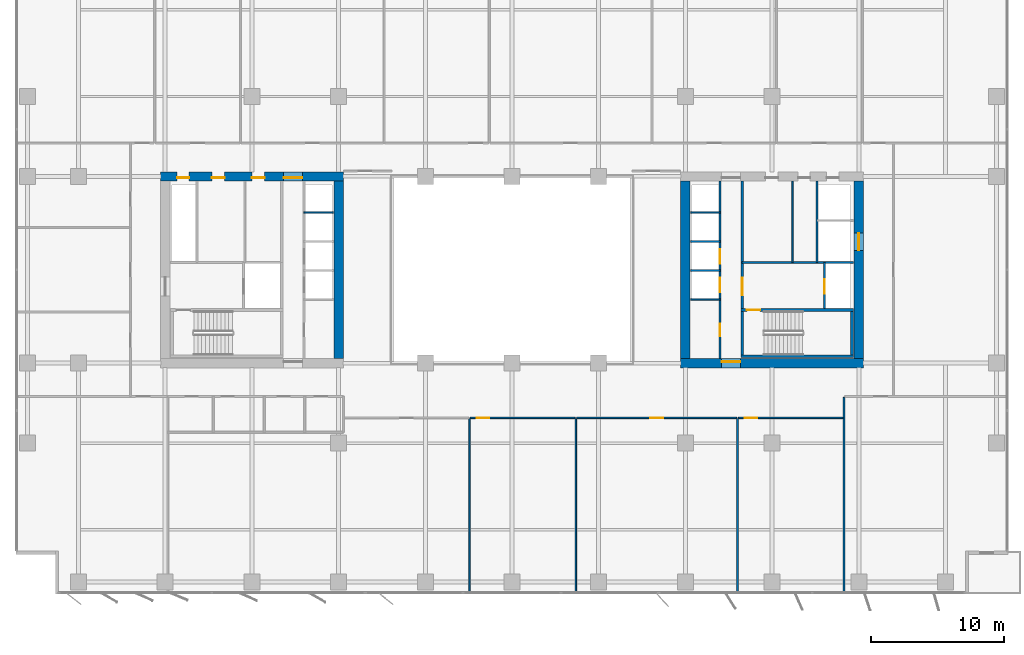
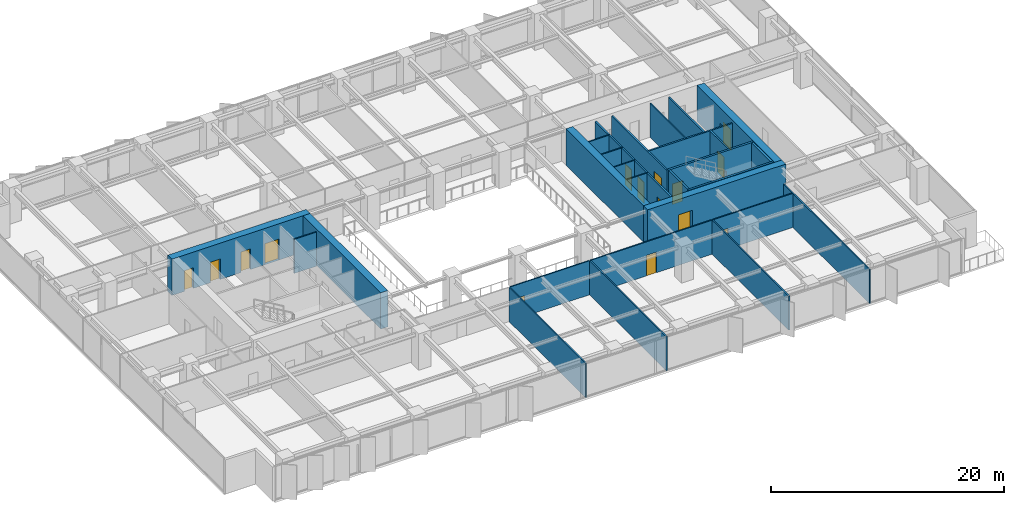
# One storey, part 14 of 20: 27 walls, 15 doors, 15 openings.
"""IFC4 building model written with IfcOpenShell, lengths in metres."""

from ifc_helpers import new_model, si_unit, direction, frame, frame_2d, origin, place, context, subcontext, project, spatial, rectangle, extrude, material, layer, layer_set, type_object, element, fill, save


model = new_model("IFC4")

# Units and contexts
model_context = context("Model", 3, precision=1e-05, world=origin(), true_north=direction((0.0, 1.0)))
body_context = subcontext(model_context, "Body", "Model", "MODEL_VIEW")
ifc_project = project(units=[si_unit("LENGTHUNIT", "METRE"), si_unit("AREAUNIT", "SQUARE_METRE"), si_unit("VOLUMEUNIT", "CUBIC_METRE"), si_unit("PLANEANGLEUNIT", "RADIAN"), si_unit("MASSUNIT", "GRAM", prefix="KILO")], contexts=[model_context])

# Site, building, storey
site_placement = place(None, origin())
site = spatial("IfcSite", under=ifc_project, at=site_placement, CompositionType="ELEMENT")
building_placement = place(site_placement, origin())
building = spatial("IfcBuilding", under=site, at=building_placement, Name="Putna Gate Headquarters", CompositionType="ELEMENT")
storey_placement = place(building_placement, frame((0.0, 0.0, 116.39990234375)))
storey = spatial("IfcBuildingStorey", under=building, at=storey_placement, Name="L28", CompositionType="ELEMENT", Elevation=116.39990234375)

# Wall, openings, doors
ifc_material_1 = material(Name="Concrete C60/75", Category="concrete")
ifc_layer_1 = layer(ifc_material_1, 0.699951171875)
ifc_layer_set_1 = layer_set([ifc_layer_1], Name="Concrete C60/75")
wall_type_1 = type_object("IfcWallType", Name="WALL-CORE-700", PredefinedType="SHEAR", material=ifc_layer_set_1)
wall_1_placement = place(storey_placement, frame((12.64990234375, 33.0, 0.0), z_axis=(0.0, 0.0, 1.0), x_axis=(1.0, 0.0, 0.0)))
wall_1 = element("IfcWall", 1, at=wall_1_placement, inside=storey, type_object=wall_type_1, Name="L28 WC Split Core Shear Wall N", PredefinedType="SHEAR", context=body_context, shape_type="SweptSolid", body=[
    extrude(rectangle(XDim=13.7001953125, YDim=0.699951171875, at=frame_2d((6.85009765625, 0.0))), origin(), (0.0, 0.0, 1.0), 3.800048828125),
])
opening_1_placement = place(wall_1_placement, frame((1.25, 0.0, 0.0)))
opening_1 = element("IfcOpeningElement", 2, at=opening_1_placement, cuts=wall_1, Name="Opening RD-90", PredefinedType="OPENING", context=body_context, shape_type="SweptSolid", body=[
    extrude(rectangle(XDim=0.89990234375, YDim=2.14990234375, at=frame_2d((0.449951171875, 1.074951171875))), frame((0.0, 0.35986328125, 0.0), z_axis=(0.0, -1.0, 0.0), x_axis=(1.0, 0.0, 0.0)), (0.0, 0.0, 1.0), 0.719970703125),
])
opening_2_placement = place(wall_1_placement, frame((3.85009765625, 0.0, 0.0)))
opening_2 = element("IfcOpeningElement", 3, at=opening_2_placement, cuts=wall_1, Name="Opening IDS-95", PredefinedType="OPENING", context=body_context, shape_type="SweptSolid", body=[
    extrude(rectangle(XDim=0.949951171875, YDim=2.14990234375, at=frame_2d((0.47509765625, 1.074951171875))), frame((0.0, 0.35986328125, 0.0), z_axis=(0.0, -1.0, 0.0), x_axis=(1.0, 0.0, 0.0)), (0.0, 0.0, 1.0), 0.719970703125),
])
opening_3_placement = place(wall_1_placement, frame((6.85009765625, 0.0, 0.0)))
opening_3 = element("IfcOpeningElement", 4, at=opening_3_placement, cuts=wall_1, Name="Opening IDS-95", PredefinedType="OPENING", context=body_context, shape_type="SweptSolid", body=[
    extrude(rectangle(XDim=0.949951171875, YDim=2.14990234375, at=frame_2d((0.47509765625, 1.074951171875))), frame((0.0, 0.35986328125, 0.0), z_axis=(0.0, -1.0, 0.0), x_axis=(1.0, 0.0, 0.0)), (0.0, 0.0, 1.0), 0.719970703125),
])
opening_4_placement = place(wall_1_placement, frame((9.22998046875, 0.0, 0.0)))
opening_4 = element("IfcOpeningElement", 5, at=opening_4_placement, cuts=wall_1, Name="Opening FDD-140", PredefinedType="OPENING", context=body_context, shape_type="SweptSolid", body=[
    extrude(rectangle(XDim=1.39990234375, YDim=2.199951171875, at=frame_2d((0.699951171875, 1.10009765625))), frame((0.0, 0.35986328125, 0.0), z_axis=(0.0, -1.0, 0.0), x_axis=(1.0, 0.0, 0.0)), (0.0, 0.0, 1.0), 0.719970703125),
])
ifc_material_2 = material(Name="Double steel fire door", Category="steel")
door_type_1 = type_object("IfcDoorType", Name="DOOR-FIRE-DBL-1400", OperationType="DOUBLE_DOOR_SINGLE_SWING", PredefinedType="DOOR", material=ifc_material_2)
door_1_placement = place(opening_4_placement, origin())
door_1 = element("IfcDoor", 6, at=door_1_placement, inside=storey, type_object=door_type_1, Name="L28 West Lift Lobby North Door", OperationType="DOUBLE_DOOR_SINGLE_SWING", OverallHeight=2.199951171875, OverallWidth=1.39990234375, PredefinedType="DOOR", context=body_context, shape_type="SweptSolid", body=[
    extrude(rectangle(XDim=1.39990234375, YDim=2.199951171875, at=frame_2d((0.699951171875, 1.10009765625))), frame((0.0, -0.0751953125, 0.0), z_axis=(0.0, -1.0, 0.0), x_axis=(1.0, 0.0, 0.0)), (0.0, 0.0, 1.0), 0.050048828125),
])
fill(opening_4, door_1)
ifc_material_3 = material(Name="Fire-rated service timber door", Category="wood")
door_type_2 = type_object("IfcDoorType", Name="DOOR-INT-950", OperationType="NOTDEFINED", PredefinedType="DOOR", material=ifc_material_3)
door_2_placement = place(opening_2_placement, origin())
door_2 = element("IfcDoor", 7, at=door_2_placement, inside=storey, type_object=door_type_2, Name="L28 Cleaner Store Door", OperationType="SINGLE_SWING_LEFT", OverallHeight=2.14990234375, OverallWidth=0.949951171875, PredefinedType="DOOR", context=body_context, shape_type="SweptSolid", body=[
    extrude(rectangle(XDim=0.949951171875, YDim=2.14990234375, at=frame_2d((0.47509765625, 1.074951171875))), frame((0.0, -0.0751953125, 0.0), z_axis=(0.0, -1.0, 0.0), x_axis=(1.0, 0.0, 0.0)), (0.0, 0.0, 1.0), 0.050048828125),
])
fill(opening_2, door_2)
door_3_placement = place(opening_3_placement, origin())
door_3 = element("IfcDoor", 8, at=door_3_placement, inside=storey, type_object=door_type_2, Name="L28 Comms Plant Door", OperationType="SINGLE_SWING_RIGHT", OverallHeight=2.14990234375, OverallWidth=0.949951171875, PredefinedType="DOOR", context=body_context, shape_type="SweptSolid", body=[
    extrude(rectangle(XDim=0.949951171875, YDim=2.14990234375, at=frame_2d((0.47509765625, 1.074951171875))), frame((0.0, -0.0751953125, 0.0), z_axis=(0.0, -1.0, 0.0), x_axis=(1.0, 0.0, 0.0)), (0.0, 0.0, 1.0), 0.050048828125),
])
fill(opening_3, door_3)
ifc_material_4 = material(Name="Steel riser access fire door", Category="steel")
door_type_3 = type_object("IfcDoorType", Name="DOOR-RISER-900", OperationType="NOTDEFINED", PredefinedType="DOOR", material=ifc_material_4)
door_4_placement = place(opening_1_placement, origin())
door_4 = element("IfcDoor", 9, at=door_4_placement, inside=storey, type_object=door_type_3, Name="L28 West Riser Access Door", OperationType="SINGLE_SWING_RIGHT", OverallHeight=2.14990234375, OverallWidth=0.89990234375, PredefinedType="DOOR", context=body_context, shape_type="SweptSolid", body=[
    extrude(rectangle(XDim=0.89990234375, YDim=2.14990234375, at=frame_2d((0.449951171875, 1.074951171875))), frame((0.0, -0.0751953125, 0.0), z_axis=(0.0, -1.0, 0.0), x_axis=(1.0, 0.0, 0.0)), (0.0, 0.0, 1.0), 0.050048828125),
])
fill(opening_1, door_4)

# Wall
wall_2_placement = place(storey_placement, frame((26.0, 19.35009765625, 0.0), z_axis=(0.0, 0.0, 1.0), x_axis=(0.0, 1.0, 0.0)))
element("IfcWall", 10, at=wall_2_placement, inside=storey, type_object=wall_type_1, Name="L28 WC Split Core Shear Wall E", PredefinedType="SHEAR", context=body_context, shape_type="SweptSolid", body=[
    extrude(rectangle(XDim=13.2998046875, YDim=0.699951171875, at=frame_2d((6.64990234375, 0.0))), origin(), (0.0, 0.0, 1.0), 3.800048828125),
])

# Wall, opening, door
wall_3_placement = place(storey_placement, frame((51.64990234375, 19.0, 0.0), z_axis=(0.0, 0.0, 1.0), x_axis=(1.0, 0.0, 0.0)))
wall_3 = element("IfcWall", 11, at=wall_3_placement, inside=storey, type_object=wall_type_1, Name="L28 EC Split Core Shear Wall S", PredefinedType="SHEAR", context=body_context, shape_type="SweptSolid", body=[
    extrude(rectangle(XDim=13.7001953125, YDim=0.699951171875, at=frame_2d((6.85009765625, 0.0))), origin(), (0.0, 0.0, 1.0), 3.800048828125),
])
opening_5_placement = place(wall_3_placement, frame((3.070068359375, 0.0, 0.0)))
opening_5 = element("IfcOpeningElement", 12, at=opening_5_placement, cuts=wall_3, Name="Opening FDD-140", PredefinedType="OPENING", context=body_context, shape_type="SweptSolid", body=[
    extrude(rectangle(XDim=1.39990234375, YDim=2.199951171875, at=frame_2d((0.699951171875, 1.10009765625))), frame((0.0, 0.35986328125, 0.0), z_axis=(0.0, -1.0, 0.0), x_axis=(1.0, 0.0, 0.0)), (0.0, 0.0, 1.0), 0.719970703125),
])
door_5_placement = place(opening_5_placement, origin())
door_5 = element("IfcDoor", 13, at=door_5_placement, inside=storey, type_object=door_type_1, Name="L28 East Lift Lobby South Door", OperationType="DOUBLE_DOOR_SINGLE_SWING", OverallHeight=2.199951171875, OverallWidth=1.39990234375, PredefinedType="DOOR", context=body_context, shape_type="SweptSolid", body=[
    extrude(rectangle(XDim=1.39990234375, YDim=2.199951171875, at=frame_2d((0.699951171875, 1.10009765625))), frame((0.0, 0.125, 0.0), z_axis=(0.0, -1.0, 0.0), x_axis=(1.0, 0.0, 0.0)), (0.0, 0.0, 1.0), 0.050048828125),
])
fill(opening_5, door_5)

# Wall
wall_4_placement = place(storey_placement, frame((52.0, 19.35009765625, 0.0), z_axis=(0.0, 0.0, 1.0), x_axis=(0.0, 1.0, 0.0)))
element("IfcWall", 14, at=wall_4_placement, inside=storey, type_object=wall_type_1, Name="L28 EC Split Core Shear Wall W", PredefinedType="SHEAR", context=body_context, shape_type="SweptSolid", body=[
    extrude(rectangle(XDim=13.2998046875, YDim=0.699951171875, at=frame_2d((6.64990234375, 0.0))), origin(), (0.0, 0.0, 1.0), 3.800048828125),
])

# Wall, opening, door
wall_5_placement = place(storey_placement, frame((65.0, 19.35009765625, 0.0), z_axis=(0.0, 0.0, 1.0), x_axis=(0.0, 1.0, 0.0)))
wall_5 = element("IfcWall", 15, at=wall_5_placement, inside=storey, type_object=wall_type_1, Name="L28 EC Split Core Shear Wall E", PredefinedType="SHEAR", context=body_context, shape_type="SweptSolid", body=[
    extrude(rectangle(XDim=13.2998046875, YDim=0.699951171875, at=frame_2d((6.64990234375, 0.0))), origin(), (0.0, 0.0, 1.0), 3.800048828125),
])
opening_6_placement = place(wall_5_placement, frame((8.10009765625, 0.0, 0.0)))
opening_6 = element("IfcOpeningElement", 16, at=opening_6_placement, cuts=wall_5, Name="Opening LD-2", PredefinedType="OPENING", context=body_context, shape_type="SweptSolid", body=[
    extrude(rectangle(XDim=1.300048828125, YDim=2.199951171875, at=frame_2d((0.64990234375, 1.10009765625))), frame((0.0, 0.35986328125, 0.0), z_axis=(0.0, -1.0, 0.0), x_axis=(1.0, 0.0, 0.0)), (0.0, 0.0, 1.0), 0.719970703125),
])
ifc_material_5 = material(Name="Heavy-duty goods lift sliding landing door")
door_type_4 = type_object("IfcDoorType", Name="DOOR-LIFT-1300", OperationType="DOUBLE_DOOR_SLIDING", PredefinedType="DOOR", material=ifc_material_5)
door_6_placement = place(opening_6_placement, origin())
door_6 = element("IfcDoor", 17, at=door_6_placement, inside=storey, type_object=door_type_4, Name="L28 Goods Lift Landing Door LD-15", OperationType="DOUBLE_DOOR_SLIDING", OverallHeight=2.199951171875, OverallWidth=1.300048828125, PredefinedType="DOOR", context=body_context, shape_type="SweptSolid", body=[
    extrude(rectangle(XDim=1.300048828125, YDim=2.199951171875, at=frame_2d((0.64990234375, 1.10009765625))), frame((0.0, 0.02490234375, 0.0), z_axis=(0.0, -1.0, 0.0), x_axis=(1.0, 0.0, 0.0)), (0.0, 0.0, 1.0), 0.050048828125),
])
fill(opening_6, door_6)

# Walls
ifc_material_6 = material(Name="Acoustic gypsum board on metal stud")
ifc_layer_2 = layer(ifc_material_6, 0.1201171875)
ifc_layer_set_2 = layer_set([ifc_layer_2], Name="Acoustic gypsum board on metal stud")
wall_type_2 = type_object("IfcWallType", Name="WALL-PART-120", PredefinedType="PARTITIONING", material=ifc_layer_set_2)
for number, where, z_axis, x_axis, name in (
    (18, (35.800048828125, 1.719970703125, 0.0), (0.0, 0.0, 1.0), (0.0, 1.0, 0.0), "L28 Interior Wall PART-L28-SB-DIV-02"),
    (19, (43.784912109375, 1.719970703125, 0.0), (0.0, 0.0, 1.0), (0.0, 1.0, 0.0), "L28 Interior Wall PART-L28-SB-DIV-03"),
    (20, (55.909912109375, 1.719970703125, 0.0), (0.0, 0.0, 1.0), (0.0, 1.0, 0.0), "L28 Interior Wall PART-L28-SB-DIV-04"),
):
    element("IfcWall", number, at=place(storey_placement, frame(where, z_axis=z_axis, x_axis=x_axis)), inside=storey, type_object=wall_type_2, Name=name, PredefinedType="PARTITIONING", context=body_context, shape_type="SweptSolid", body=[
        extrude(rectangle(XDim=13.1201171875, YDim=0.1201171875, at=frame_2d((6.56005859375, 0.0))), origin(), (0.0, 0.0, 1.0), 3.565185546875),
    ])
wall_6_placement = place(storey_placement, frame((63.89501953125, 1.719970703125, 0.0), z_axis=(0.0, 0.0, 1.0), x_axis=(0.0, 1.0, 0.0)))
element("IfcWall", 21, at=wall_6_placement, inside=storey, type_object=wall_type_2, Name="L28 Interior Wall PART-L28-SB-DIV-05", PredefinedType="PARTITIONING", context=body_context, shape_type="SweptSolid", body=[
    extrude(rectangle(XDim=14.719970703125, YDim=0.1201171875, at=frame_2d((7.35986328125, 0.0))), origin(), (0.0, 0.0, 1.0), 3.565185546875),
])
ifc_material_7 = material(Name="Fire-rated shaftwall gypsum board on metal stud")
ifc_layer_3 = layer(ifc_material_7, 0.1201171875)
ifc_layer_set_3 = layer_set([ifc_layer_3], Name="Fire-rated shaftwall gypsum board on metal stud")
wall_type_3 = type_object("IfcWallType", Name="WALL-PART-120-EI120", PredefinedType="PARTITIONING", material=ifc_layer_set_3)
for number, where, z_axis, x_axis, name in (
    (22, (23.39990234375, 30.31005859375, 0.0), (0.0, 0.0, 1.0), (1.0, 0.0, 0.0), "L28 Interior Wall CWINT-L28-WC-LF09-DIV"),
    (23, (52.39990234375, 25.949951171875, 0.0), (0.0, 0.0, 1.0), (1.0, 0.0, 0.0), "L28 Interior Wall CWINT-L28-EC-LF07-DIV"),
    (24, (52.39990234375, 28.1201171875, 0.0), (0.0, 0.0, 1.0), (1.0, 0.0, 0.0), "L28 Interior Wall CWINT-L28-EC-LF08-DIV"),
    (25, (52.39990234375, 30.31005859375, 0.0), (0.0, 0.0, 1.0), (1.0, 0.0, 0.0), "L28 Interior Wall CWINT-L28-EC-LF11-DIV"),
):
    element("IfcWall", number, at=place(storey_placement, frame(where, z_axis=z_axis, x_axis=x_axis)), inside=storey, type_object=wall_type_3, Name=name, PredefinedType="PARTITIONING", context=body_context, shape_type="SweptSolid", body=[
        extrude(rectangle(XDim=2.2001953125, YDim=0.1201171875, at=frame_2d((1.10009765625, 0.0))), origin(), (0.0, 0.0, 1.0), 3.565185546875),
    ])
ifc_material_8 = material(Name="Fire-rated gypsum board on metal stud")
ifc_layer_4 = layer(ifc_material_8, 0.1201171875)
ifc_layer_set_4 = layer_set([ifc_layer_4], Name="Fire-rated gypsum board on metal stud")
wall_type_4 = type_object("IfcWallType", Name="WALL-PART-120-RATED", PredefinedType="PARTITIONING", material=ifc_layer_set_4)
wall_7_placement = place(storey_placement, frame((52.39990234375, 23.780029296875, 0.0), z_axis=(0.0, 0.0, 1.0), x_axis=(1.0, 0.0, 0.0)))
element("IfcWall", 26, at=wall_7_placement, inside=storey, type_object=wall_type_4, Name="L28 Interior Wall CWINT-L28-EC-LF04-DIV", PredefinedType="PARTITIONING", context=body_context, shape_type="SweptSolid", body=[
    extrude(rectangle(XDim=2.2001953125, YDim=0.1201171875, at=frame_2d((1.10009765625, 0.0))), origin(), (0.0, 0.0, 1.0), 3.565185546875),
])
wall_8_placement = place(storey_placement, frame((60.02001953125, 26.56005859375, 0.0), z_axis=(0.0, 0.0, 1.0), x_axis=(0.0, 1.0, 0.0)))
element("IfcWall", 27, at=wall_8_placement, inside=storey, type_object=wall_type_4, Name="L28 Interior Wall CWINT-L28-EC-K0-DIV", PredefinedType="PARTITIONING", context=body_context, shape_type="SweptSolid", body=[
    extrude(rectangle(XDim=6.08984375, YDim=0.1201171875, at=frame_2d((3.044921875, 0.0))), origin(), (0.0, 0.0, 1.0), 3.565185546875),
])

# Wall, opening, door
wall_9_placement = place(storey_placement, frame((35.860107421875, 14.89990234375, 0.0), z_axis=(0.0, 0.0, 1.0), x_axis=(1.0, 0.0, 0.0)))
wall_9 = element("IfcWall", 28, at=wall_9_placement, inside=storey, type_object=wall_type_4, Name="L28 Interior Wall PART-L28-SB-CW-03", PredefinedType="PARTITIONING", context=body_context, shape_type="SweptSolid", body=[
    extrude(rectangle(XDim=7.86474609375, YDim=0.1201171875, at=frame_2d((3.932373046875, 0.0))), origin(), (0.0, 0.0, 1.0), 3.565185546875),
])
opening_7_placement = place(wall_9_placement, frame((0.47998046875, 0.0, 0.0)))
opening_7 = element("IfcOpeningElement", 29, at=opening_7_placement, cuts=wall_9, Name="Opening FD-95", PredefinedType="OPENING", context=body_context, shape_type="SweptSolid", body=[
    extrude(rectangle(XDim=0.949951171875, YDim=2.14990234375, at=frame_2d((0.47509765625, 1.074951171875))), frame((0.0, 0.070068359375, 0.0), z_axis=(0.0, -1.0, 0.0), x_axis=(1.0, 0.0, 0.0)), (0.0, 0.0, 1.0), 0.14013671875),
])
ifc_material_9 = material(Name="Acoustic timber fire door", Category="wood")
door_type_5 = type_object("IfcDoorType", Name="DOOR-FIRE-950", OperationType="NOTDEFINED", PredefinedType="DOOR", material=ifc_material_9)
door_7_placement = place(opening_7_placement, origin())
door_7 = element("IfcDoor", 30, at=door_7_placement, inside=storey, type_object=door_type_5, Name="L28 Collaborative Breakout Lounge 1 Door", OperationType="SINGLE_SWING_LEFT", OverallHeight=2.14990234375, OverallWidth=0.949951171875, PredefinedType="DOOR", context=body_context, shape_type="SweptSolid", body=[
    extrude(rectangle(XDim=0.949951171875, YDim=2.14990234375, at=frame_2d((0.47509765625, 1.074951171875))), frame((0.0, 0.02490234375, 0.0), z_axis=(0.0, -1.0, 0.0), x_axis=(1.0, 0.0, 0.0)), (0.0, 0.0, 1.0), 0.050048828125),
])
fill(opening_7, door_7)

wall_10_placement = place(storey_placement, frame((43.844970703125, 14.89990234375, 0.0), z_axis=(0.0, 0.0, 1.0), x_axis=(1.0, 0.0, 0.0)))
wall_10 = element("IfcWall", 31, at=wall_10_placement, inside=storey, type_object=wall_type_4, Name="L28 Interior Wall PART-L28-SB-CW-04", PredefinedType="PARTITIONING", context=body_context, shape_type="SweptSolid", body=[
    extrude(rectangle(XDim=12.005126953125, YDim=0.1201171875, at=frame_2d((6.00244140625, 0.0))), origin(), (0.0, 0.0, 1.0), 3.565185546875),
])
opening_8_placement = place(wall_10_placement, frame((5.527587890625, 0.0, 0.0)))
opening_8 = element("IfcOpeningElement", 32, at=opening_8_placement, cuts=wall_10, Name="Opening FD-95", PredefinedType="OPENING", context=body_context, shape_type="SweptSolid", body=[
    extrude(rectangle(XDim=0.949951171875, YDim=2.14990234375, at=frame_2d((0.47509765625, 1.074951171875))), frame((0.0, 0.070068359375, 0.0), z_axis=(0.0, -1.0, 0.0), x_axis=(1.0, 0.0, 0.0)), (0.0, 0.0, 1.0), 0.14013671875),
])
door_8_placement = place(opening_8_placement, origin())
door_8 = element("IfcDoor", 33, at=door_8_placement, inside=storey, type_object=door_type_5, Name="L28 Collaborative Breakout Lounge 2 Door", OperationType="SINGLE_SWING_RIGHT", OverallHeight=2.14990234375, OverallWidth=0.949951171875, PredefinedType="DOOR", context=body_context, shape_type="SweptSolid", body=[
    extrude(rectangle(XDim=0.949951171875, YDim=2.14990234375, at=frame_2d((0.47509765625, 1.074951171875))), frame((0.0, 0.02490234375, 0.0), z_axis=(0.0, -1.0, 0.0), x_axis=(1.0, 0.0, 0.0)), (0.0, 0.0, 1.0), 0.050048828125),
])
fill(opening_8, door_8)

wall_11_placement = place(storey_placement, frame((55.969970703125, 14.89990234375, 0.0), z_axis=(0.0, 0.0, 1.0), x_axis=(1.0, 0.0, 0.0)))
wall_11 = element("IfcWall", 34, at=wall_11_placement, inside=storey, type_object=wall_type_4, Name="L28 Interior Wall PART-L28-SB-CW-05", PredefinedType="PARTITIONING", context=body_context, shape_type="SweptSolid", body=[
    extrude(rectangle(XDim=7.864990234375, YDim=0.1201171875, at=frame_2d((3.9326171875, 0.0))), origin(), (0.0, 0.0, 1.0), 3.565185546875),
])
opening_9_placement = place(wall_11_placement, frame((0.47998046875, 0.0, 0.0)))
opening_9 = element("IfcOpeningElement", 35, at=opening_9_placement, cuts=wall_11, Name="Opening FD-95", PredefinedType="OPENING", context=body_context, shape_type="SweptSolid", body=[
    extrude(rectangle(XDim=0.949951171875, YDim=2.14990234375, at=frame_2d((0.47509765625, 1.074951171875))), frame((0.0, 0.070068359375, 0.0), z_axis=(0.0, -1.0, 0.0), x_axis=(1.0, 0.0, 0.0)), (0.0, 0.0, 1.0), 0.14013671875),
])
door_9_placement = place(opening_9_placement, origin())
door_9 = element("IfcDoor", 36, at=door_9_placement, inside=storey, type_object=door_type_5, Name="L28 Collaborative Breakout Lounge 3 Door", OperationType="SINGLE_SWING_LEFT", OverallHeight=2.14990234375, OverallWidth=0.949951171875, PredefinedType="DOOR", context=body_context, shape_type="SweptSolid", body=[
    extrude(rectangle(XDim=0.949951171875, YDim=2.14990234375, at=frame_2d((0.47509765625, 1.074951171875))), frame((0.0, 0.02490234375, 0.0), z_axis=(0.0, -1.0, 0.0), x_axis=(1.0, 0.0, 0.0)), (0.0, 0.0, 1.0), 0.050048828125),
])
fill(opening_9, door_9)

# Wall, openings, doors
ifc_material_10 = material(Name="Concrete C40/50", Category="concrete")
ifc_layer_5 = layer(ifc_material_10, 0.159912109375)
ifc_layer_set_5 = layer_set([ifc_layer_5], Name="Concrete C40/50")
wall_type_5 = type_object("IfcWallType", Name="WALL-SHAFT-160", PredefinedType="STANDARD", material=ifc_layer_set_5)
wall_12_placement = place(storey_placement, frame((54.60009765625, 19.35009765625, 0.0), z_axis=(0.0, 0.0, 1.0), x_axis=(0.0, 1.0, 0.0)))
wall_12 = element("IfcWall", 37, at=wall_12_placement, inside=storey, type_object=wall_type_5, Name="L28 Interior Wall CWINT-L28-EC-PL-WALL", PredefinedType="STANDARD", context=body_context, shape_type="SweptSolid", body=[
    extrude(rectangle(XDim=13.2998046875, YDim=0.159912109375, at=frame_2d((6.64990234375, 0.0))), origin(), (0.0, 0.0, 1.0), 3.565185546875),
])
opening_10_placement = place(wall_12_placement, frame((1.64990234375, 0.0, 0.0)))
opening_10 = element("IfcOpeningElement", 38, at=opening_10_placement, cuts=wall_12, Name="Opening IDS-95", PredefinedType="OPENING", context=body_context, shape_type="SweptSolid", body=[
    extrude(rectangle(XDim=0.949951171875, YDim=2.14990234375, at=frame_2d((0.47509765625, 1.074951171875))), frame((0.0, 0.08984375, 0.0), z_axis=(0.0, -1.0, 0.0), x_axis=(1.0, 0.0, 0.0)), (0.0, 0.0, 1.0), 0.179931640625),
])
opening_11_placement = place(wall_12_placement, frame((4.949951171875, 0.0, 0.0)))
opening_11 = element("IfcOpeningElement", 39, at=opening_11_placement, cuts=wall_12, Name="Opening LD-1", PredefinedType="OPENING", context=body_context, shape_type="SweptSolid", body=[
    extrude(rectangle(XDim=1.10009765625, YDim=2.199951171875, at=frame_2d((0.550048828125, 1.10009765625))), frame((0.0, 0.08984375, 0.0), z_axis=(0.0, -1.0, 0.0), x_axis=(1.0, 0.0, 0.0)), (0.0, 0.0, 1.0), 0.179931640625),
])
opening_12_placement = place(wall_12_placement, frame((7.10009765625, 0.0, 0.0)))
opening_12 = element("IfcOpeningElement", 40, at=opening_12_placement, cuts=wall_12, Name="Opening LD-1", PredefinedType="OPENING", context=body_context, shape_type="SweptSolid", body=[
    extrude(rectangle(XDim=1.10009765625, YDim=2.199951171875, at=frame_2d((0.550048828125, 1.10009765625))), frame((0.0, 0.08984375, 0.0), z_axis=(0.0, -1.0, 0.0), x_axis=(1.0, 0.0, 0.0)), (0.0, 0.0, 1.0), 0.179931640625),
])
door_10_placement = place(opening_10_placement, origin())
door_10 = element("IfcDoor", 41, at=door_10_placement, inside=storey, type_object=door_type_2, Name="L28 Stationery Store Door", OperationType="SINGLE_SWING_RIGHT", OverallHeight=2.14990234375, OverallWidth=0.949951171875, PredefinedType="DOOR", context=body_context, shape_type="SweptSolid", body=[
    extrude(rectangle(XDim=0.949951171875, YDim=2.14990234375, at=frame_2d((0.47509765625, 1.074951171875))), frame((0.0, 0.02490234375, 0.0), z_axis=(0.0, -1.0, 0.0), x_axis=(1.0, 0.0, 0.0)), (0.0, 0.0, 1.0), 0.050048828125),
])
fill(opening_10, door_10)
ifc_material_11 = material(Name="Brushed bronze stainless lift landing door")
door_type_6 = type_object("IfcDoorType", Name="DOOR-LIFT-1100", OperationType="DOUBLE_DOOR_SLIDING", PredefinedType="DOOR", material=ifc_material_11)
door_11_placement = place(opening_11_placement, origin())
door_11 = element("IfcDoor", 42, at=door_11_placement, inside=storey, type_object=door_type_6, Name="L28 Lift Landing Door LD-07", OperationType="DOUBLE_DOOR_SLIDING", OverallHeight=2.199951171875, OverallWidth=1.10009765625, PredefinedType="DOOR", context=body_context, shape_type="SweptSolid", body=[
    extrude(rectangle(XDim=1.10009765625, YDim=2.199951171875, at=frame_2d((0.550048828125, 1.10009765625))), frame((0.0, 0.02490234375, 0.0), z_axis=(0.0, -1.0, 0.0), x_axis=(1.0, 0.0, 0.0)), (0.0, 0.0, 1.0), 0.050048828125),
])
fill(opening_11, door_11)
door_12_placement = place(opening_12_placement, origin())
door_12 = element("IfcDoor", 43, at=door_12_placement, inside=storey, type_object=door_type_6, Name="L28 Lift Landing Door LD-08", OperationType="DOUBLE_DOOR_SLIDING", OverallHeight=2.199951171875, OverallWidth=1.10009765625, PredefinedType="DOOR", context=body_context, shape_type="SweptSolid", body=[
    extrude(rectangle(XDim=1.10009765625, YDim=2.199951171875, at=frame_2d((0.550048828125, 1.10009765625))), frame((0.0, 0.02490234375, 0.0), z_axis=(0.0, -1.0, 0.0), x_axis=(1.0, 0.0, 0.0)), (0.0, 0.0, 1.0), 0.050048828125),
])
fill(opening_12, door_12)

# Wall, opening, door
wall_13_placement = place(storey_placement, frame((56.260009765625, 23.090087890625, 0.0), z_axis=(0.0, 0.0, 1.0), x_axis=(0.0, 1.0, 0.0)))
wall_13 = element("IfcWall", 44, at=wall_13_placement, inside=storey, type_object=wall_type_5, Name="L28 Interior Wall CWINT-L28-EC-LOB-E", PredefinedType="STANDARD", context=body_context, shape_type="SweptSolid", body=[
    extrude(rectangle(XDim=9.559814453125, YDim=0.159912109375, at=frame_2d((4.77978515625, 0.0))), origin(), (0.0, 0.0, 1.0), 3.565185546875),
])
opening_13_placement = place(wall_13_placement, frame((1.010009765625, 0.0, 0.0)))
opening_13 = element("IfcOpeningElement", 45, at=opening_13_placement, cuts=wall_13, Name="Opening FDD-130", PredefinedType="OPENING", context=body_context, shape_type="SweptSolid", body=[
    extrude(rectangle(XDim=1.300048828125, YDim=2.199951171875, at=frame_2d((0.64990234375, 1.10009765625))), frame((0.0, 0.08984375, 0.0), z_axis=(0.0, -1.0, 0.0), x_axis=(1.0, 0.0, 0.0)), (0.0, 0.0, 1.0), 0.179931640625),
])
ifc_material_12 = material(Name="Double steel lobby fire door", Category="steel")
door_type_7 = type_object("IfcDoorType", Name="DOOR-FIRE-DBL-1300", OperationType="DOUBLE_DOOR_SINGLE_SWING", PredefinedType="DOOR", material=ifc_material_12)
door_13_placement = place(opening_13_placement, origin())
door_13 = element("IfcDoor", 46, at=door_13_placement, inside=storey, type_object=door_type_7, Name="L28 East Firefighting Lobby Door", OperationType="DOUBLE_DOOR_SINGLE_SWING", OverallHeight=2.199951171875, OverallWidth=1.300048828125, PredefinedType="DOOR", context=body_context, shape_type="SweptSolid", body=[
    extrude(rectangle(XDim=1.300048828125, YDim=2.199951171875, at=frame_2d((0.64990234375, 1.10009765625))), frame((0.0, 0.02490234375, 0.0), z_axis=(0.0, -1.0, 0.0), x_axis=(1.0, 0.0, 0.0)), (0.0, 0.0, 1.0), 0.050048828125),
])
fill(opening_13, door_13)

wall_14_placement = place(storey_placement, frame((62.429931640625, 23.090087890625, 0.0), z_axis=(0.0, 0.0, 1.0), x_axis=(0.0, 1.0, 0.0)))
wall_14 = element("IfcWall", 47, at=wall_14_placement, inside=storey, type_object=wall_type_5, Name="L28 Interior Wall CWINT-L28-EC-LF14-W", PredefinedType="STANDARD", context=body_context, shape_type="SweptSolid", body=[
    extrude(rectangle(XDim=3.469970703125, YDim=0.159912109375, at=frame_2d((1.73486328125, 0.0))), origin(), (0.0, 0.0, 1.0), 3.565185546875),
])
opening_14_placement = place(wall_14_placement, frame((1.10009765625, 0.0, 0.0)))
opening_14 = element("IfcOpeningElement", 48, at=opening_14_placement, cuts=wall_14, Name="Opening LD-1", PredefinedType="OPENING", context=body_context, shape_type="SweptSolid", body=[
    extrude(rectangle(XDim=1.10009765625, YDim=2.199951171875, at=frame_2d((0.550048828125, 1.10009765625))), frame((0.0, 0.08984375, 0.0), z_axis=(0.0, -1.0, 0.0), x_axis=(1.0, 0.0, 0.0)), (0.0, 0.0, 1.0), 0.179931640625),
])
door_14_placement = place(opening_14_placement, origin())
door_14 = element("IfcDoor", 49, at=door_14_placement, inside=storey, type_object=door_type_6, Name="L28 Lift Landing Door LD-14", OperationType="DOUBLE_DOOR_SLIDING", OverallHeight=2.199951171875, OverallWidth=1.10009765625, PredefinedType="DOOR", context=body_context, shape_type="SweptSolid", body=[
    extrude(rectangle(XDim=1.10009765625, YDim=2.199951171875, at=frame_2d((0.550048828125, 1.10009765625))), frame((0.0, 0.02490234375, 0.0), z_axis=(0.0, -1.0, 0.0), x_axis=(1.0, 0.0, 0.0)), (0.0, 0.0, 1.0), 0.050048828125),
])
fill(opening_14, door_14)

# Walls
wall_15_placement = place(storey_placement, frame((56.260009765625, 26.56005859375, 0.0), z_axis=(0.0, 0.0, 1.0), x_axis=(1.0, 0.0, 0.0)))
element("IfcWall", 50, at=wall_15_placement, inside=storey, type_object=wall_type_5, Name="L28 Interior Wall CWINT-L28-EC-FFL-N", PredefinedType="STANDARD", context=body_context, shape_type="SweptSolid", body=[
    extrude(rectangle(XDim=8.340087890625, YDim=0.159912109375, at=frame_2d((4.169921875, 0.0))), origin(), (0.0, 0.0, 1.0), 3.565185546875),
])
wall_16_placement = place(storey_placement, frame((61.8701171875, 26.56005859375, 0.0), z_axis=(0.0, 0.0, 1.0), x_axis=(0.0, 1.0, 0.0)))
element("IfcWall", 51, at=wall_16_placement, inside=storey, type_object=wall_type_5, Name="L28 Interior Wall CWINT-L28-EC-LF15-W", PredefinedType="STANDARD", context=body_context, shape_type="SweptSolid", body=[
    extrude(rectangle(XDim=6.08984375, YDim=0.159912109375, at=frame_2d((3.044921875, 0.0))), origin(), (0.0, 0.0, 1.0), 3.565185546875),
])
ifc_layer_6 = layer(ifc_material_10, 0.199951171875)
ifc_layer_set_6 = layer_set([ifc_layer_6], Name="Concrete C40/50")
wall_type_6 = type_object("IfcWallType", Name="WALL-SHAFT-RC200", PredefinedType="SHEAR", material=ifc_layer_set_6)
wall_17_placement = place(storey_placement, frame((56.159912109375, 19.510009765625, 0.0), z_axis=(0.0, 0.0, 1.0), x_axis=(1.0, 0.0, 0.0)))
element("IfcWall", 52, at=wall_17_placement, inside=storey, type_object=wall_type_6, Name="L28 Stair ST2 Structural Shaft Wall S", PredefinedType="SHEAR", context=body_context, shape_type="SweptSolid", body=[
    extrude(rectangle(XDim=8.43017578125, YDim=0.199951171875, at=frame_2d((4.215087890625, 0.0))), origin(), (0.0, 0.0, 1.0), 3.800048828125),
])

# Wall, opening, door
wall_18_placement = place(storey_placement, frame((56.159912109375, 22.989990234375, 0.0), z_axis=(0.0, 0.0, 1.0), x_axis=(1.0, 0.0, 0.0)))
wall_18 = element("IfcWall", 53, at=wall_18_placement, inside=storey, type_object=wall_type_6, Name="L28 Stair ST2 Structural Shaft Wall N", PredefinedType="SHEAR", context=body_context, shape_type="SweptSolid", body=[
    extrude(rectangle(XDim=8.43017578125, YDim=0.199951171875, at=frame_2d((4.215087890625, 0.0))), origin(), (0.0, 0.0, 1.0), 3.800048828125),
])
opening_15_placement = place(wall_18_placement, frame((0.449951171875, 0.0, 0.0)))
opening_15 = element("IfcOpeningElement", 54, at=opening_15_placement, cuts=wall_18, Name="Opening FD-100", PredefinedType="OPENING", context=body_context, shape_type="SweptSolid", body=[
    extrude(rectangle(XDim=1.0, YDim=2.14990234375, at=frame_2d((0.5, 1.074951171875))), frame((0.0, 0.10986328125, 0.0), z_axis=(0.0, -1.0, 0.0), x_axis=(1.0, 0.0, 0.0)), (0.0, 0.0, 1.0), 0.219970703125),
])
ifc_material_13 = material(Name="Powder-coated steel fire door", Category="steel")
door_type_8 = type_object("IfcDoorType", Name="DOOR-FIRE-1000", OperationType="NOTDEFINED", PredefinedType="DOOR", material=ifc_material_13)
door_15_placement = place(opening_15_placement, origin())
door_15 = element("IfcDoor", 55, at=door_15_placement, inside=storey, type_object=door_type_8, Name="L28 Stair ST2 Fire Door", OperationType="SINGLE_SWING_RIGHT", OverallHeight=2.14990234375, OverallWidth=1.0, PredefinedType="DOOR", context=body_context, shape_type="SweptSolid", body=[
    extrude(rectangle(XDim=1.0, YDim=2.14990234375, at=frame_2d((0.5, 1.074951171875))), frame((0.0, 0.02490234375, 0.0), z_axis=(0.0, -1.0, 0.0), x_axis=(1.0, 0.0, 0.0)), (0.0, 0.0, 1.0), 0.050048828125),
])
fill(opening_15, door_15)

# Walls
for number, where, z_axis, x_axis, name in (
    (56, (56.260009765625, 19.610107421875, 0.0), (0.0, 0.0, 1.0), (0.0, 1.0, 0.0), "L28 Stair ST2 Structural Shaft Wall W"),
    (57, (64.489990234375, 19.610107421875, 0.0), (0.0, 0.0, 1.0), (0.0, 1.0, 0.0), "L28 Stair ST2 Structural Shaft Wall E"),
):
    element("IfcWall", number, at=place(storey_placement, frame(where, z_axis=z_axis, x_axis=x_axis)), inside=storey, type_object=wall_type_6, Name=name, PredefinedType="SHEAR", context=body_context, shape_type="SweptSolid", body=[
        extrude(rectangle(XDim=3.27978515625, YDim=0.199951171875, at=frame_2d((1.639892578125, 0.0))), origin(), (0.0, 0.0, 1.0), 3.800048828125),
    ])

save(model, "model.ifc")
